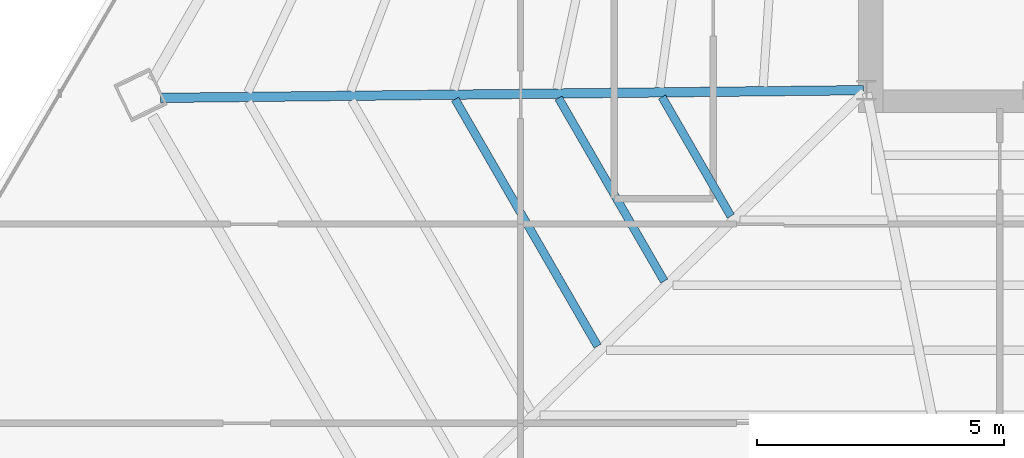
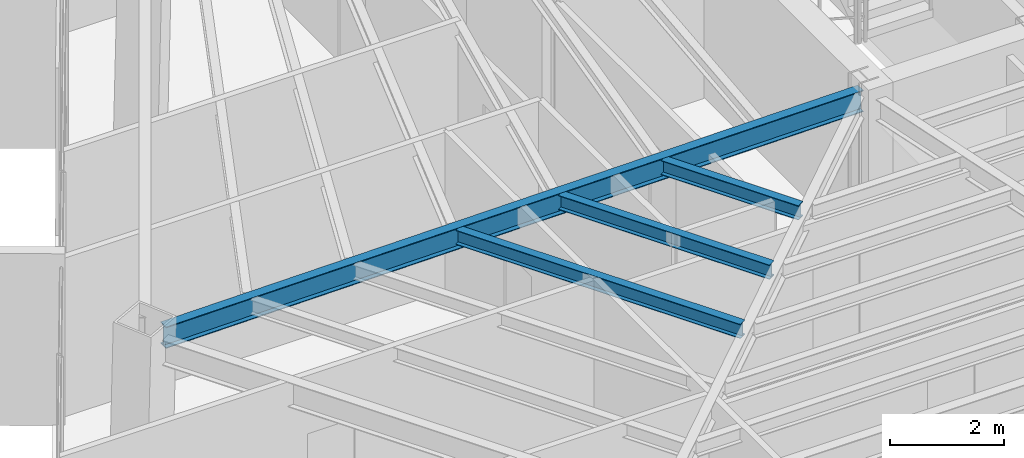
# One storey, part 11 of 42: 4 beams.
"""IFC4 building model written with IfcOpenShell, lengths in metres."""

from ifc_helpers import new_model, si_unit, direction, frame, origin, origin_2d, place, context, subcontext, project, spatial, i_section, extrude, source, transform, mapped, material, material_profile, profile_set, type_object, type_shapes, element, save


model = new_model("IFC4")

# Units and contexts
model_context = context("Model", 3, precision=1e-05, world=origin(), true_north=direction((0.0, 1.0)))
body_context = subcontext(model_context, "Body", "Model", "MODEL_VIEW")
ifc_project = project(units=[si_unit("LENGTHUNIT", "METRE"), si_unit("AREAUNIT", "SQUARE_METRE"), si_unit("VOLUMEUNIT", "CUBIC_METRE"), si_unit("PLANEANGLEUNIT", "RADIAN"), si_unit("MASSUNIT", "GRAM", prefix="KILO")], contexts=[model_context])

# Site, building, storey
site_placement = place(None, origin())
site = spatial("IfcSite", under=ifc_project, at=site_placement, CompositionType="ELEMENT")
building_placement = place(site_placement, origin())
building = spatial("IfcBuilding", under=site, at=building_placement, Name="Caelisora Broadcast Tower", CompositionType="ELEMENT")
storey_placement = place(building_placement, frame((0.0, 0.0, 195.0)))
storey = spatial("IfcBuildingStorey", under=building, at=storey_placement, Name="L51", CompositionType="ELEMENT", Elevation=195.0)

# Beams
ifc_material = material(Name="Steel Grade 350 (AS/NZS 3679.1)", Category="steel")
ifc_material_profile_1 = material_profile(ifc_material, i_section(OverallWidth=0.19091796875, OverallDepth=0.46044921875, WebThickness=0.010009765625, FlangeThickness=0.01611328125, at=origin_2d()), Name="Steel Grade 350 (AS/NZS 3679.1)")
ifc_profile_set_1 = profile_set([ifc_material_profile_1], Name="Steel Grade 350 (AS/NZS 3679.1)")
beam_type_1 = type_object("IfcBeamType", Name="PG06", PredefinedType="BEAM", material=ifc_profile_set_1)
shared_shape_1 = source(origin(), body_context, "Body", "SweptSolid", [
    extrude(i_section(OverallWidth=0.19091796875, OverallDepth=0.46044921875, WebThickness=0.010009765625, FlangeThickness=0.01611328125, at=origin_2d()), origin(), (0.0, 0.0, 1.0), 14.2265625),
])
type_shapes(beam_type_1, [shared_shape_1])
beam_1_placement = place(storey_placement, frame((30.43994140625, 17.3994140625, 3.169921875), z_axis=(-0.999939495674, -0.011000226827, 0.0), x_axis=(0.011000226827, -0.999939495674, 0.0)))
element("IfcBeam", 1, at=beam_1_placement, inside=storey, type_object=beam_type_1, Name="L51 beam PG06", PredefinedType="BEAM", context=body_context, shape_type="MappedRepresentation", body=[
    mapped(shared_shape_1, transform((0.0, 0.0, 0.0), scale=1.0)),
])
ifc_material_profile_2 = material_profile(ifc_material, i_section(OverallWidth=0.166015625, OverallDepth=0.30712890625, WebThickness=0.006591796875, FlangeThickness=0.01171875, at=origin_2d()), Name="Steel Grade 350 (AS/NZS 3679.1)")
ifc_profile_set_2 = profile_set([ifc_material_profile_2], Name="Steel Grade 350 (AS/NZS 3679.1)")
beam_type_2 = type_object("IfcBeamType", Name="SB03", PredefinedType="JOIST", material=ifc_profile_set_2)
shared_shape_2 = source(origin(), body_context, "Body", "SweptSolid", [
    extrude(i_section(OverallWidth=0.166015625, OverallDepth=0.30712890625, WebThickness=0.006591796875, FlangeThickness=0.01171875, at=origin_2d()), origin(), (0.0, 0.0, 1.0), 2.783935546875),
])
beam_2_placement = place(storey_placement, frame((26.3642578125, 17.26171875, 3.246337890625), z_axis=(0.499978037009, -0.866038083752, 0.0), x_axis=(0.866038083752, 0.499978037009, 0.0)))
element("IfcBeam", 2, at=beam_2_placement, inside=storey, type_object=beam_type_2, Name="L51 beam SB03", PredefinedType="JOIST", context=body_context, shape_type="MappedRepresentation", body=[
    mapped(shared_shape_2, transform((0.0, 0.0, 0.0), scale=1.0)),
])
shared_shape_3 = source(origin(), body_context, "Body", "SweptSolid", [
    extrude(i_section(OverallWidth=0.166015625, OverallDepth=0.30712890625, WebThickness=0.006591796875, FlangeThickness=0.01171875, at=origin_2d()), origin(), (0.0, 0.0, 1.0), 4.276611328125),
])
beam_3_placement = place(storey_placement, frame((24.269775390625, 17.238525390625, 3.246337890625), z_axis=(0.500025535525, -0.86601066034, 0.0), x_axis=(0.86601066034, 0.500025535525, 0.0)))
element("IfcBeam", 3, at=beam_3_placement, inside=storey, type_object=beam_type_2, Name="L51 beam SB03", PredefinedType="JOIST", context=body_context, shape_type="MappedRepresentation", body=[
    mapped(shared_shape_3, transform((0.0, 0.0, 0.0), scale=1.0)),
])
shared_shape_4 = source(origin(), body_context, "Body", "SweptSolid", [
    extrude(i_section(OverallWidth=0.166015625, OverallDepth=0.30712890625, WebThickness=0.006591796875, FlangeThickness=0.01171875, at=origin_2d()), origin(), (0.0, 0.0, 1.0), 5.769775390625),
])
type_shapes(beam_type_2, [shared_shape_2, shared_shape_3, shared_shape_4])
beam_4_placement = place(storey_placement, frame((22.17529296875, 17.215576171875, 3.246337890625), z_axis=(0.499980071345, -0.866036909293, 0.0), x_axis=(0.866036909293, 0.499980071345, 0.0)))
element("IfcBeam", 4, at=beam_4_placement, inside=storey, type_object=beam_type_2, Name="L51 beam SB03", PredefinedType="JOIST", context=body_context, shape_type="MappedRepresentation", body=[
    mapped(shared_shape_4, transform((0.0, 0.0, 0.0), scale=1.0)),
])

save(model, "model.ifc")
